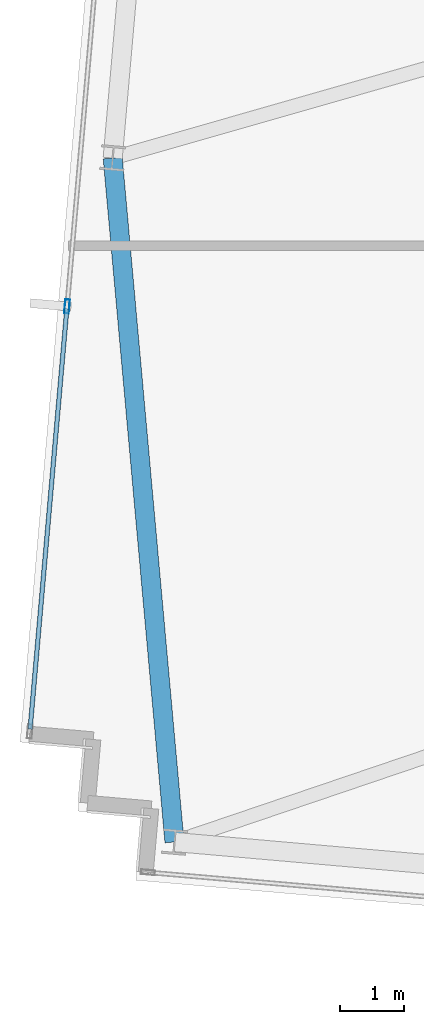
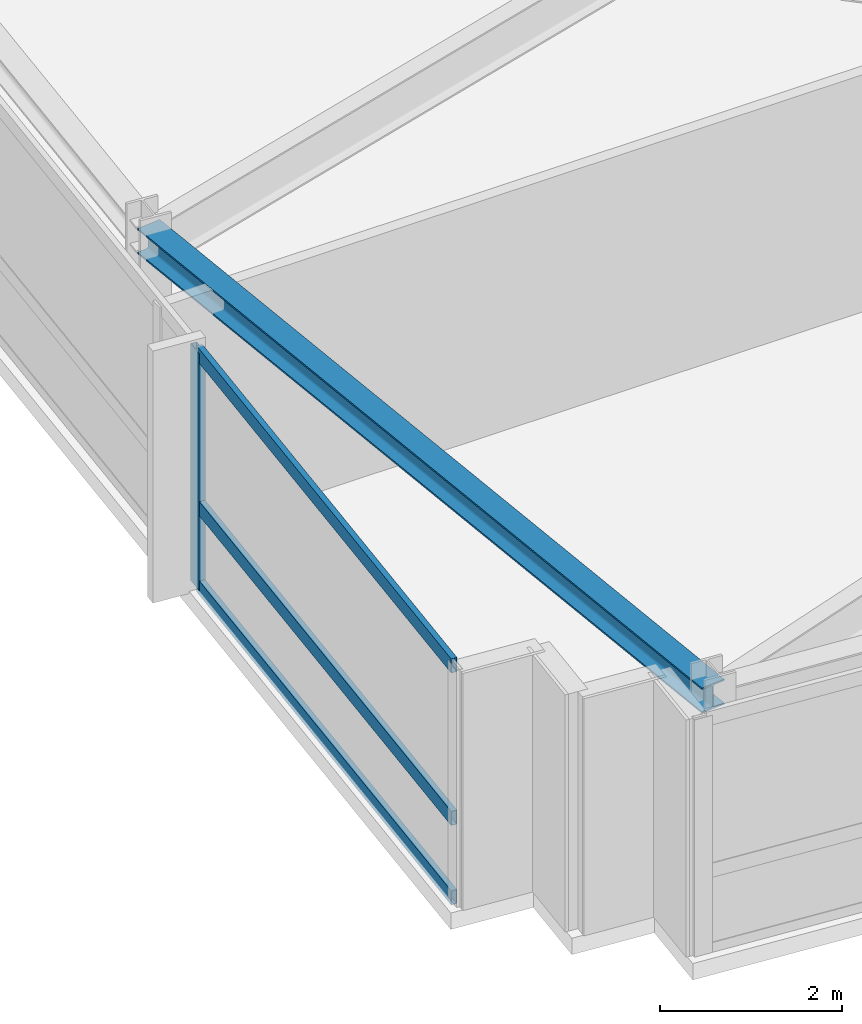
# One storey, part 3 of 24: 4 members, 1 beam, 1 element without a shape of its own.
"""IFC4 building model written with IfcOpenShell, lengths in metres."""

import ifcopenshell
import ifcopenshell.guid

model = None  # the IFC model being written
_history = None  # IfcOwnerHistory: only IFC2X3 demands one
_inside = {}  # id of a spatial element -> (the spatial element, [elements in it])
_under = {}  # id of a project, library or spatial element -> (it, [spatial elements below it])
_declared = {}  # id of a project -> (the project, [libraries it declares])
_typed = {}  # id of a type object -> (the type object, [elements of that type])
_made_of = {}  # id of a material, layer set ... -> (it, [elements and type objects made of it])


def new_model(schema):
    """Start an empty IFC model of exactly this schema.

    Asked for "IFC4X3", IfcOpenShell would pick the latest addendum, in which some entities
    have other attributes; the version numbers below select the first issue.
    IFC2X3 requires an IfcOwnerHistory on every rooted entity: one is made here for all.
    """
    global model, _history
    if schema == "IFC4X3":
        model = ifcopenshell.file(schema_version=(4, 3, 0, 0))
    else:
        model = ifcopenshell.file(schema=schema)
    _inside.clear()
    _under.clear()
    _declared.clear()
    _typed.clear()
    _made_of.clear()
    _history = None
    if model.schema == "IFC2X3":
        org = make("IfcOrganization", Name="unknown")
        user = make(
            "IfcPersonAndOrganization",
            ThePerson=make("IfcPerson", FamilyName="unknown"),
            TheOrganization=org,
        )
        app = make(
            "IfcApplication",
            ApplicationDeveloper=org,
            Version="unknown",
            ApplicationFullName="unknown",
            ApplicationIdentifier="unknown",
        )
        _history = make(
            "IfcOwnerHistory",
            OwningUser=user,
            OwningApplication=app,
            ChangeAction="ADDED",
            CreationDate=0,
        )
    return model


def make(cls, **values):
    """One entity of the class cls with the attributes given. An attribute that is None is left unset."""
    return model.create_entity(
        cls, **{name: value for name, value in values.items() if value is not None}
    )


def rooted(cls, **values):
    """An entity with a GlobalId (a new one), such as an element, a storey or a relation."""
    return make(cls, GlobalId=ifcopenshell.guid.new(), OwnerHistory=_history, **values)


def si_unit(unit_type, name, prefix=None):
    """IfcSIUnit, for example si_unit("LENGTHUNIT", "METRE", prefix="MILLI")."""
    return make("IfcSIUnit", UnitType=unit_type, Prefix=prefix, Name=name)


def assignment(units):
    """IfcUnitAssignment: the units of a project."""
    return None if units is None else make("IfcUnitAssignment", Units=units)


def point(xyz):
    """IfcCartesianPoint."""
    return None if xyz is None else make("IfcCartesianPoint", Coordinates=xyz)


def direction(xyz):
    """IfcDirection."""
    return None if xyz is None else make("IfcDirection", DirectionRatios=xyz)


def frame(location, z_axis=None, x_axis=None):
    """IfcAxis2Placement3D, a coordinate frame: its origin and axes. An axis left out is left unset."""
    return make(
        "IfcAxis2Placement3D",
        Location=point(location),
        Axis=direction(z_axis),
        RefDirection=direction(x_axis),
    )


def frame_2d(location, x_axis=None):
    """IfcAxis2Placement2D, a coordinate frame in the plane: its origin and x axis."""
    return make(
        "IfcAxis2Placement2D", Location=point(location), RefDirection=direction(x_axis)
    )


def origin():
    """The frame at (0, 0, 0) with its axes left unset."""
    return frame((0.0, 0.0, 0.0))


def origin_2d():
    """The frame at (0, 0) in the plane with its x axis left unset."""
    return frame_2d((0.0, 0.0))


def place(relative_to, where):
    """IfcLocalPlacement: puts the frame where relative to a parent placement (None: the world)."""
    return make(
        "IfcLocalPlacement", PlacementRelTo=relative_to, RelativePlacement=where
    )


def context(
    kind, dimensions, precision=None, world=None, true_north=None, identifier=None
):
    """IfcGeometricRepresentationContext, for example the 3D "Model" context."""
    return make(
        "IfcGeometricRepresentationContext",
        ContextIdentifier=identifier,
        ContextType=kind,
        CoordinateSpaceDimension=dimensions,
        Precision=precision,
        WorldCoordinateSystem=world,
        TrueNorth=true_north,
    )


def subcontext(parent, identifier, kind, view, scale=None):
    """IfcGeometricRepresentationSubContext, for example "Body" below "Model"."""
    return make(
        "IfcGeometricRepresentationSubContext",
        ContextIdentifier=identifier,
        ContextType=kind,
        ParentContext=parent,
        TargetScale=scale,
        TargetView=view,
    )


def project(units=None, contexts=None):
    """IfcProject with its units and contexts."""
    return rooted(
        "IfcProject",
        Name="project",
        RepresentationContexts=contexts,
        UnitsInContext=assignment(units),
    )


def spatial(cls, under=None, at=None, **own):
    """A site, building, storey or space (cls), placed at a placement, below another one or the project."""
    s = rooted(cls, ObjectPlacement=at, **own)
    if under is not None:
        _under.setdefault(under.id(), (under, []))[1].append(s)
    return s


def profile(cls, at=None, kind="AREA", **sizes):
    """A parametric profile (cls). Its sizes go by their IFC names, for example OverallWidth=200.0."""
    return make(cls, ProfileType=kind, Position=at, **sizes)


def hollow_rectangle(**sizes):
    """IfcRectangleHollowProfileDef."""
    return profile("IfcRectangleHollowProfileDef", **sizes)


def i_section(**sizes):
    """IfcIShapeProfileDef."""
    return profile("IfcIShapeProfileDef", **sizes)


def extrude(swept, where, along, depth):
    """IfcExtrudedAreaSolid: the profile swept, set in the frame where, extruded along a direction by depth."""
    return make(
        "IfcExtrudedAreaSolid",
        SweptArea=swept,
        Position=where,
        ExtrudedDirection=direction(along),
        Depth=depth,
    )


def shape(context_of_items, identifier, shape_type, items):
    """IfcShapeRepresentation: the items that make up one representation, for example the "Body"."""
    return make(
        "IfcShapeRepresentation",
        ContextOfItems=context_of_items,
        RepresentationIdentifier=identifier,
        RepresentationType=shape_type,
        Items=items,
    )


def material(Name=None, Category=None):
    """IfcMaterial."""
    return make("IfcMaterial", Name=Name, Category=Category)


def material_profile(
    of_material, cross_section, Name=None, Category=None, Priority=None
):
    """IfcMaterialProfile: a cross section and its material."""
    return make(
        "IfcMaterialProfile",
        Name=Name,
        Material=of_material,
        Profile=cross_section,
        Priority=Priority,
        Category=Category,
    )


def profile_set(profiles, Name=None, composite=None):
    """IfcMaterialProfileSet."""
    return make(
        "IfcMaterialProfileSet",
        Name=Name,
        MaterialProfiles=profiles,
        CompositeProfile=composite,
    )


def made_of(thing, what):
    """Note that an element or type object is made of a material, layer set ...; save() writes the relation."""
    if what is not None:
        _made_of.setdefault(what.id(), (what, []))[1].append(thing)
    return thing


def type_object(cls, material=None, **own):
    """A type object (cls), such as IfcWallType, which elements share."""
    return made_of(rooted(cls, **own), material)


def element(
    cls,
    number,
    at=None,
    inside=None,
    cuts=None,
    type_object=None,
    material=None,
    context=None,
    identifier="Body",
    shape_type=None,
    held_by="IfcProductDefinitionShape",
    body=None,
    shapes=None,
    **own,
):
    """One element of the class cls, such as IfcWall. Its Tag is "e" and its number.

    at: its placement. inside: the storey or other place that contains it. cuts: it is an
    opening in that element (IfcRelVoidsElement). A single representation is given by context,
    identifier, shape_type and body (its items); several are given by shapes. held_by: the class
    of the entity that holds the representations. save() writes the other relations.
    """
    e = rooted(cls, Tag="e%d" % number, ObjectPlacement=at, **own)
    if body is not None:
        shapes = [shape(context, identifier, shape_type, body)]
    if shapes is not None:
        e.Representation = make(held_by, Representations=shapes)
    if inside is not None:
        _inside.setdefault(inside.id(), (inside, []))[1].append(e)
    if cuts is not None:
        rooted(
            "IfcRelVoidsElement", RelatingBuildingElement=cuts, RelatedOpeningElement=e
        )
    if type_object is not None:
        _typed.setdefault(type_object.id(), (type_object, []))[1].append(e)
    return made_of(e, material)


def aggregate(whole, parts):
    """IfcRelAggregates: a whole, such as a stair, and the parts it consists of."""
    return rooted("IfcRelAggregates", RelatingObject=whole, RelatedObjects=parts)


def save(model, path):
    """Write the relations noted so far, then the file.

    IfcRelAggregates (storeys below a building ...), IfcRelContainedInSpatialStructure (elements
    in a storey), IfcRelDefinesByType, IfcRelAssociatesMaterial and IfcRelDeclares: one each for
    every whole, place, type object, material and project.
    """
    for whole, parts in _under.values():
        aggregate(whole, parts)
    for where, things in _inside.values():
        rooted(
            "IfcRelContainedInSpatialStructure",
            RelatedElements=things,
            RelatingStructure=where,
        )
    for kind, things in _typed.values():
        rooted("IfcRelDefinesByType", RelatedObjects=things, RelatingType=kind)
    for what, things in _made_of.values():
        rooted("IfcRelAssociatesMaterial", RelatedObjects=things, RelatingMaterial=what)
    for by, libraries in _declared.values():
        rooted("IfcRelDeclares", RelatingContext=by, RelatedDefinitions=libraries)
    model.write(path)


model = new_model("IFC4")

# Units and contexts
model_context = context("Model", 3, precision=1e-05, world=origin(), true_north=direction((0.0, 1.0)))
body_context = subcontext(model_context, "Body", "Model", "MODEL_VIEW")
ifc_project = project(units=[si_unit("LENGTHUNIT", "METRE"), si_unit("AREAUNIT", "SQUARE_METRE"), si_unit("VOLUMEUNIT", "CUBIC_METRE"), si_unit("PLANEANGLEUNIT", "RADIAN"), si_unit("MASSUNIT", "GRAM", prefix="KILO")], contexts=[model_context])

# Site, building, storey
site_placement = place(None, origin())
site = spatial("IfcSite", under=ifc_project, at=site_placement, CompositionType="ELEMENT")
building_placement = place(site_placement, origin())
building = spatial("IfcBuilding", under=site, at=building_placement, Name="Yelkora Congress Tower", CompositionType="ELEMENT")
storey_placement = place(building_placement, frame((0.0, 0.0, 296.5)))
storey = spatial("IfcBuildingStorey", under=building, at=storey_placement, Name="L83", CompositionType="ELEMENT", Elevation=296.5)

# Beam
ifc_material_1 = material(Name="Steel S355J2", Category="steel")
ifc_material_profile_1 = material_profile(ifc_material_1, i_section(OverallWidth=0.300048828125, OverallDepth=0.340087890625, WebThickness=0.011962890625, FlangeThickness=0.021484375, FilletRadius=0.027099609375, at=origin_2d()), Name="HEB 340")
ifc_profile_set_1 = profile_set([ifc_material_profile_1], Name="Steel S355J2")
beam_type = type_object("IfcBeamType", Name="BM-SPAN-HEB340", PredefinedType="SPANDREL", material=ifc_profile_set_1)
beam_placement = place(storey_placement, frame((7.029052734375, 30.822998046875, 3.010009765625), z_axis=(0.08998177561, -0.995943412076, 0.0), x_axis=(0.995943412076, 0.08998177561, 0.0)))
element("IfcBeam", 1, at=beam_placement, inside=storey, type_object=beam_type, Name="L83 Perimeter Beam 15", PredefinedType="SPANDREL", context=body_context, shape_type="SweptSolid", body=[
    extrude(i_section(OverallWidth=0.300048828125, OverallDepth=0.340087890625, WebThickness=0.011962890625, FlangeThickness=0.021484375, FilletRadius=0.027099609375, at=origin_2d()), origin(), (0.0, 0.0, 1.0), 10.768798828125),
])

# Curtain wall, members
ifc_material_2 = material(Name="Anodised aluminium and insulated glass", Category="aluminium")
curtain_wall_type = type_object("IfcCurtainWallType", Name="CW-SYS-SKY", PredefinedType="NOTDEFINED", material=ifc_material_2)
curtain_wall_placement = place(storey_placement, origin())
curtain_wall = element("IfcCurtainWall", 2, at=curtain_wall_placement, inside=storey, type_object=curtain_wall_type, Name="L83 Unitised Curtain Wall 5", PredefinedType="NOTDEFINED")
ifc_material_3 = material(Name="Anodised aluminium 6063-T6", Category="aluminium")
ifc_material_profile_2 = material_profile(ifc_material_3, hollow_rectangle(XDim=0.074951171875, YDim=0.219970703125, WallThickness=0.0048828125, at=origin_2d()), Name="ALU 75x220x5")
ifc_profile_set_2 = profile_set([ifc_material_profile_2], Name="Anodised aluminium 6063-T6")
member_type_1 = type_object("IfcMemberType", Name="MEM-ML-SKY", PredefinedType="MULLION", material=ifc_profile_set_2)
member_1_placement = place(storey_placement, frame((6.313720703125, 28.49658203125, 0.0), z_axis=(0.0, 0.0, 1.0), x_axis=(-0.996194785929, 0.08715473876, 0.0)))
member_1 = element("IfcMember", 3, at=member_1_placement, type_object=member_type_1, Name="CW-SKY mullion 2", PredefinedType="MULLION", context=body_context, shape_type="SweptSolid", body=[
    extrude(hollow_rectangle(XDim=0.074951171875, YDim=0.219970703125, WallThickness=0.0048828125, at=origin_2d()), origin(), (0.0, 0.0, 1.0), 3.179931640625),
])
ifc_material_profile_3 = material_profile(ifc_material_3, hollow_rectangle(XDim=0.070068359375, YDim=0.18994140625, WallThickness=0.00390625, at=origin_2d()), Name="ALU 70x190x4")
ifc_profile_set_3 = profile_set([ifc_material_profile_3], Name="Anodised aluminium 6063-T6")
member_type_2 = type_object("IfcMemberType", Name="MEM-TR-SKY", PredefinedType="USERDEFINED", material=ifc_profile_set_3)
member_2_placement = place(storey_placement, frame((5.733642578125, 21.866943359375, 0.034912109375), z_axis=(0.087142236417, 0.99619587965, 0.0), x_axis=(-0.99619587965, 0.087142236417, 0.0)))
member_2 = element("IfcMember", 4, at=member_2_placement, type_object=member_type_2, Name="CW-SKY transom 1.1", ObjectType="TRANSOM", PredefinedType="USERDEFINED", context=body_context, shape_type="SweptSolid", body=[
    extrude(hollow_rectangle(XDim=0.070068359375, YDim=0.18994140625, WallThickness=0.00390625, at=origin_2d()), origin(), (0.0, 0.0, 1.0), 6.617431640625),
])
member_3_placement = place(storey_placement, frame((5.733642578125, 21.866943359375, 1.10009765625), z_axis=(0.087142236417, 0.99619587965, 0.0), x_axis=(-0.99619587965, 0.087142236417, 0.0)))
member_3 = element("IfcMember", 5, at=member_3_placement, type_object=member_type_2, Name="CW-SKY transom 1.2", ObjectType="TRANSOM", PredefinedType="USERDEFINED", context=body_context, shape_type="SweptSolid", body=[
    extrude(hollow_rectangle(XDim=0.070068359375, YDim=0.18994140625, WallThickness=0.00390625, at=origin_2d()), origin(), (0.0, 0.0, 1.0), 6.617431640625),
])
member_4_placement = place(storey_placement, frame((5.733642578125, 21.866943359375, 3.14501953125), z_axis=(0.087142236417, 0.99619587965, 0.0), x_axis=(-0.99619587965, 0.087142236417, 0.0)))
member_4 = element("IfcMember", 6, at=member_4_placement, type_object=member_type_2, Name="CW-SKY transom 1.3", ObjectType="TRANSOM", PredefinedType="USERDEFINED", context=body_context, shape_type="SweptSolid", body=[
    extrude(hollow_rectangle(XDim=0.070068359375, YDim=0.18994140625, WallThickness=0.00390625, at=origin_2d()), origin(), (0.0, 0.0, 1.0), 6.617431640625),
])
aggregate(curtain_wall, [member_1, member_2, member_3, member_4])

save(model, "model.ifc")
